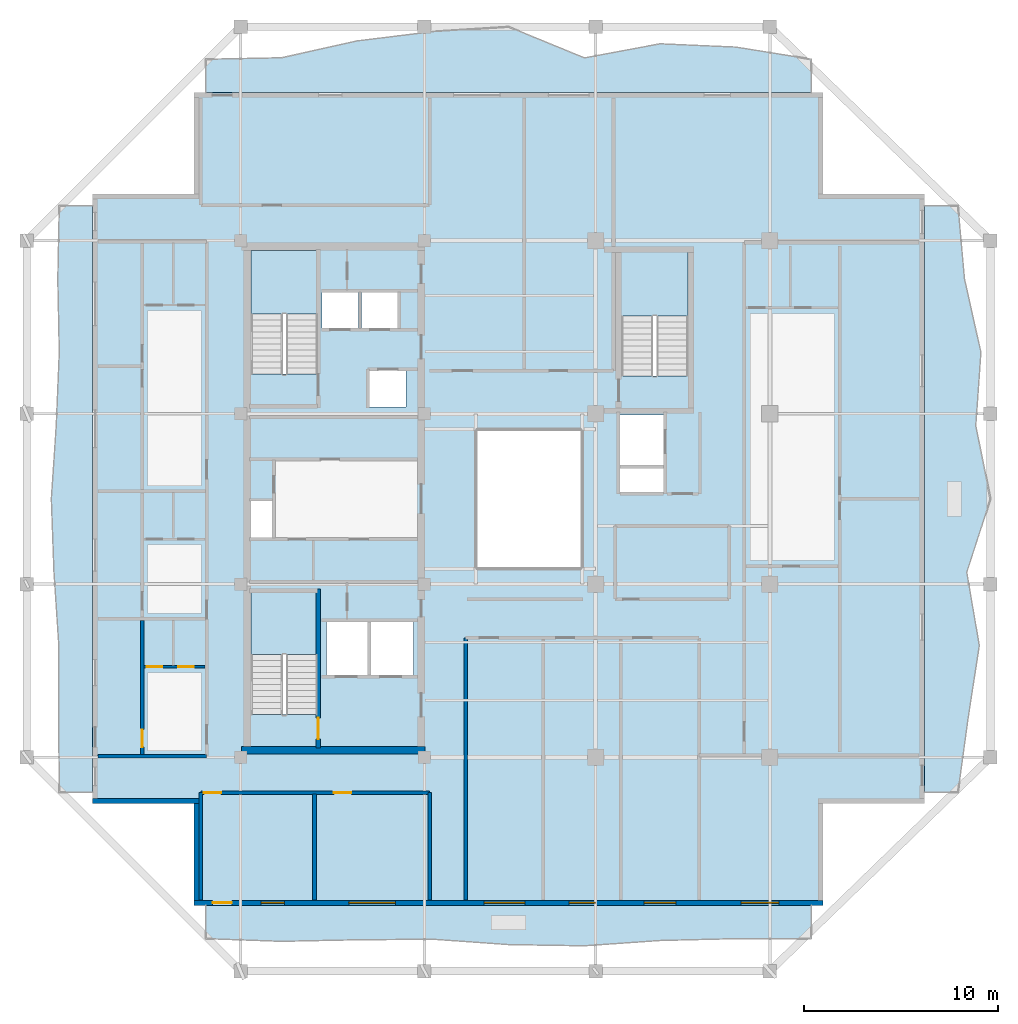
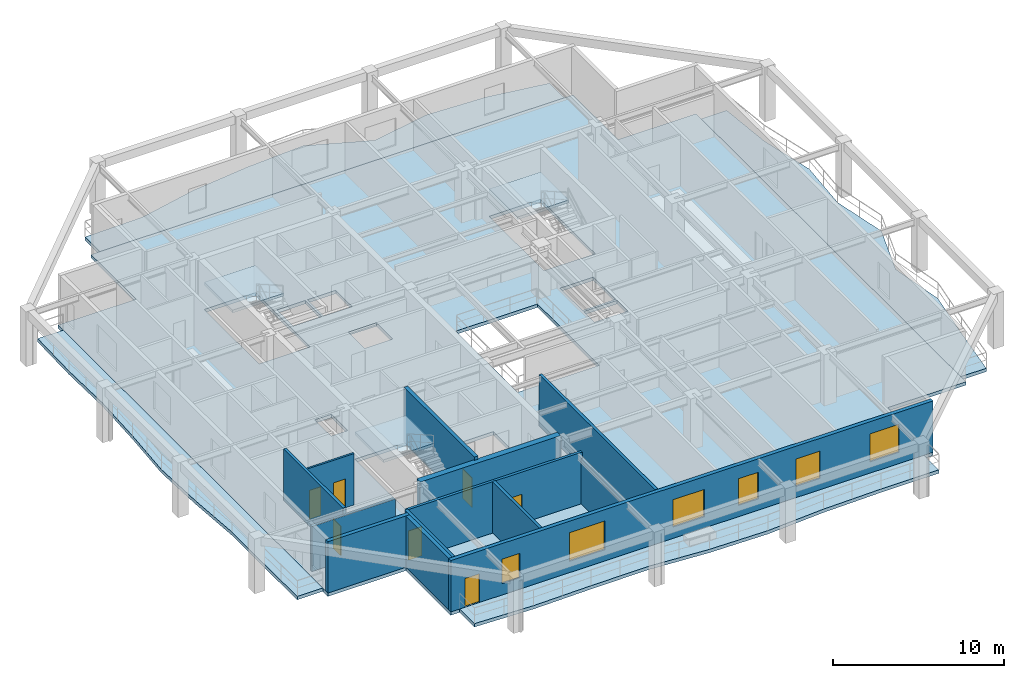
# One storey, part 2 of 11: 13 walls, 8 slabs, 7 doors, 6 windows, 13 openings, 3 elements without a shape of their own.
"""IFC4 building model written with IfcOpenShell, lengths in metres."""

from ifc_helpers import new_model, si_unit, direction, frame, frame_2d, origin, place, context, subcontext, project, spatial, polyline, rectangle, outline, extrude, material, layer, layer_set, type_object, element, fill, aggregate, save


model = new_model("IFC4")

# Units and contexts
model_context = context("Model", 3, precision=1e-05, world=origin(), true_north=direction((0.0, 1.0)))
body_context = subcontext(model_context, "Body", "Model", "MODEL_VIEW")
ifc_project = project(units=[si_unit("LENGTHUNIT", "METRE"), si_unit("AREAUNIT", "SQUARE_METRE"), si_unit("VOLUMEUNIT", "CUBIC_METRE"), si_unit("PLANEANGLEUNIT", "RADIAN"), si_unit("MASSUNIT", "GRAM", prefix="KILO")], contexts=[model_context])

# Site, building, storey
site_placement = place(None, origin())
site = spatial("IfcSite", under=ifc_project, at=site_placement, CompositionType="ELEMENT")
building_placement = place(site_placement, origin())
building = spatial("IfcBuilding", under=site, at=building_placement, Name="Kundavana Baori Tower", CompositionType="ELEMENT")
storey_placement = place(building_placement, frame((0.0, 0.0, 264.800048828125)))
storey = spatial("IfcBuildingStorey", under=building, at=storey_placement, Name="L65", CompositionType="ELEMENT", Elevation=264.800048828125)

# Slab
ifc_material_1 = material(Name="Concrete C40/50", Category="concrete")
ifc_layer_1 = layer(ifc_material_1, 0.239990234375, Name="SLB-FLR-240")
ifc_layer_set_1 = layer_set([ifc_layer_1], Name="Concrete C40/50")
slab_type_1 = type_object("IfcSlabType", Name="SLB-FLR-240", PredefinedType="FLOOR", material=ifc_layer_set_1)
slab_1_placement = place(storey_placement, frame((0.0, 0.0, -0.239990234375)))
element("IfcSlab", 1, at=slab_1_placement, inside=storey, type_object=slab_type_1, Name="L65 Structural Floor Slab", PredefinedType="FLOOR", context=body_context, shape_type="SweptSolid", body=[
    extrude(outline(polyline([(13.050048828125, 7.60009765625), (45.550048828125, 7.60009765625), (45.550048828125, 12.85009765625), (50.800048828125, 12.85009765625), (50.800048828125, 44.35009765625), (45.550048828125, 44.35009765625), (45.550048828125, 49.60009765625), (13.050048828125, 49.60009765625), (13.050048828125, 44.35009765625), (7.800048828125, 44.35009765625), (7.800048828125, 12.85009765625), (13.050048828125, 12.85009765625), (13.050048828125, 7.60009765625)]), holes=[polyline([(19.43994140625, 17.4619140625), (19.43994140625, 23.85009765625), (15.97998046875, 23.85009765625), (15.97998046875, 17.4619140625), (19.43994140625, 17.4619140625)]), polyline([(19.43994140625, 35.06201171875), (19.43994140625, 41.449951171875), (15.97998046875, 41.449951171875), (15.97998046875, 35.06201171875), (19.43994140625, 35.06201171875)]), polyline([(38.580078125, 34.9619140625), (38.580078125, 41.35009765625), (35.1201171875, 41.35009765625), (35.1201171875, 34.9619140625), (38.580078125, 34.9619140625)]), polyline([(19.64990234375, 37.39990234375), (21.550048828125, 37.39990234375), (21.550048828125, 39.300048828125), (19.64990234375, 39.300048828125), (19.64990234375, 37.39990234375)]), polyline([(21.699951171875, 37.39990234375), (23.60009765625, 37.39990234375), (23.60009765625, 39.300048828125), (21.699951171875, 39.300048828125), (21.699951171875, 37.39990234375)]), polyline([(22.10009765625, 33.35009765625), (24.0, 33.35009765625), (24.0, 35.25), (22.10009765625, 35.25), (22.10009765625, 33.35009765625)]), polyline([(19.8798828125, 19.5), (22.02001953125, 19.5), (22.02001953125, 22.25), (19.8798828125, 22.25), (19.8798828125, 19.5)]), polyline([(22.179931640625, 19.5), (24.3798828125, 19.5), (24.3798828125, 22.25), (22.179931640625, 22.25), (22.179931640625, 19.5)]), polyline([(35.050048828125, 30.35009765625), (37.300048828125, 30.35009765625), (37.300048828125, 32.949951171875), (35.050048828125, 32.949951171875), (35.050048828125, 30.35009765625)]), polyline([(15.949951171875, 26.60009765625), (17.080078125, 26.60009765625), (17.080078125, 28.5), (15.949951171875, 28.5), (15.949951171875, 26.60009765625)]), polyline([(35.050048828125, 28.949951171875), (37.300048828125, 28.949951171875), (37.300048828125, 30.199951171875), (35.050048828125, 30.199951171875), (35.050048828125, 28.949951171875)]), polyline([(27.60009765625, 25.0), (33.10009765625, 25.0), (33.10009765625, 32.199951171875), (27.60009765625, 32.199951171875), (27.60009765625, 25.0)])]), origin(), (0.0, 0.0, 1.0), 0.239990234375),
])

# Stair, slab
ifc_material_2 = material(Name="Concrete C40/50", Category="concrete")
stair_type = type_object("IfcStairType", Name="STR-DOG-1650", PredefinedType="HALF_TURN_STAIR", material=ifc_material_2)
stair_1_placement = place(storey_placement, origin())
stair_1 = element("IfcStair", 2, at=stair_1_placement, inside=storey, type_object=stair_type, Name="L65 Protected Exit Stair ST1", PredefinedType="HALF_TURN_STAIR")
ifc_material_3 = material(Name="Concrete C40/50", Category="concrete")
ifc_layer_2 = layer(ifc_material_3, 0.199951171875, Name="SLB-LND-200")
ifc_layer_set_2 = layer_set([ifc_layer_2], Name="Concrete C40/50")
slab_type_2 = type_object("IfcSlabType", Name="SLB-LND-200", PredefinedType="LANDING", material=ifc_layer_set_2)
slab_2_placement = place(storey_placement, frame((0.0, 0.0, 1.75)))
slab_2 = element("IfcSlab", 3, at=slab_2_placement, type_object=slab_type_2, Name="ST1 landing 1", PredefinedType="LANDING", context=body_context, shape_type="SweptSolid", body=[
    extrude(outline(polyline([(19.43994140625, 20.550048828125), (19.43994140625, 23.85009765625), (15.97998046875, 23.85009765625), (15.97998046875, 20.550048828125), (19.43994140625, 20.550048828125)])), origin(), (0.0, 0.0, 1.0), 0.199951171875),
])
aggregate(stair_1, [slab_2])

stair_2_placement = place(storey_placement, origin())
stair_2 = element("IfcStair", 4, at=stair_2_placement, inside=storey, type_object=stair_type, Name="L65 Protected Exit Stair ST2", PredefinedType="HALF_TURN_STAIR")
slab_3_placement = place(storey_placement, frame((0.0, 0.0, 1.75)))
slab_3 = element("IfcSlab", 5, at=slab_3_placement, type_object=slab_type_2, Name="ST2 landing 1", PredefinedType="LANDING", context=body_context, shape_type="SweptSolid", body=[
    extrude(outline(polyline([(19.43994140625, 38.14990234375), (19.43994140625, 41.449951171875), (15.97998046875, 41.449951171875), (15.97998046875, 38.14990234375), (19.43994140625, 38.14990234375)])), origin(), (0.0, 0.0, 1.0), 0.199951171875),
])
aggregate(stair_2, [slab_3])

stair_3_placement = place(storey_placement, origin())
stair_3 = element("IfcStair", 6, at=stair_3_placement, inside=storey, type_object=stair_type, Name="L65 Protected Exit Stair ST3", PredefinedType="HALF_TURN_STAIR")
slab_4_placement = place(storey_placement, frame((0.0, 0.0, 1.75)))
slab_4 = element("IfcSlab", 7, at=slab_4_placement, type_object=slab_type_2, Name="ST3 landing 1", PredefinedType="LANDING", context=body_context, shape_type="SweptSolid", body=[
    extrude(outline(polyline([(38.580078125, 38.050048828125), (38.580078125, 41.35009765625), (35.1201171875, 41.35009765625), (35.1201171875, 38.050048828125), (38.580078125, 38.050048828125)])), origin(), (0.0, 0.0, 1.0), 0.199951171875),
])
aggregate(stair_3, [slab_4])

# Slabs
ifc_material_4 = material(Name="Concrete C40/50", Category="concrete")
ifc_layer_3 = layer(ifc_material_4, 0.239990234375, Name="SLB-LOG-240")
ifc_layer_set_3 = layer_set([ifc_layer_3], Name="Concrete C40/50")
slab_type_3 = type_object("IfcSlabType", Name="SLB-LOG-240", PredefinedType="FLOOR", material=ifc_layer_set_3)
slab_5_placement = place(storey_placement, frame((0.0, 0.0, -0.239990234375)))
element("IfcSlab", 8, at=slab_5_placement, inside=storey, type_object=slab_type_3, Name="L65 Planted Loggia Balcony Slab S", PredefinedType="FLOOR", context=body_context, shape_type="SweptSolid", body=[
    extrude(outline(polyline([(13.64990234375, 7.60009765625), (44.949951171875, 7.60009765625), (44.949951171875, 5.8798828125), (41.0380859375, 5.876953125), (37.125, 5.782958984375), (33.212890625, 5.509033203125), (29.300048828125, 5.570068359375), (25.387939453125, 5.84912109375), (21.47509765625, 5.820068359375), (17.56201171875, 5.739013671875), (13.64990234375, 5.8798828125), (13.64990234375, 7.60009765625)])), origin(), (0.0, 0.0, 1.0), 0.239990234375),
])
slab_6_placement = place(storey_placement, frame((0.0, 0.0, -0.239990234375)))
element("IfcSlab", 9, at=slab_6_placement, inside=storey, type_object=slab_type_3, Name="L65 Planted Loggia Balcony Slab E", PredefinedType="FLOOR", context=body_context, shape_type="SweptSolid", body=[
    extrude(outline(polyline([(50.800048828125, 13.449951171875), (50.800048828125, 43.75), (52.52001953125, 43.75), (52.85791015625, 39.9619140625), (53.70703125, 36.175048828125), (53.43994140625, 32.387939453125), (54.199951171875, 28.60009765625), (52.97509765625, 24.81201171875), (53.6220703125, 21.02490234375), (53.0400390625, 17.238037109375), (52.52001953125, 13.449951171875), (50.800048828125, 13.449951171875)])), origin(), (0.0, 0.0, 1.0), 0.239990234375),
])
slab_7_placement = place(storey_placement, frame((0.0, 0.0, -0.239990234375)))
element("IfcSlab", 10, at=slab_7_placement, inside=storey, type_object=slab_type_3, Name="L65 Planted Loggia Balcony Slab N", PredefinedType="FLOOR", context=body_context, shape_type="SweptSolid", body=[
    extrude(outline(polyline([(44.949951171875, 49.60009765625), (13.64990234375, 49.60009765625), (13.64990234375, 51.320068359375), (17.56201171875, 51.39794921875), (21.47509765625, 52.27001953125), (25.387939453125, 52.7490234375), (29.300048828125, 53.0), (33.212890625, 51.388916015625), (37.125, 52.1201171875), (41.0380859375, 51.949951171875), (44.949951171875, 51.320068359375), (44.949951171875, 49.60009765625)])), origin(), (0.0, 0.0, 1.0), 0.239990234375),
])
slab_8_placement = place(storey_placement, frame((0.0, 0.0, -0.239990234375)))
element("IfcSlab", 11, at=slab_8_placement, inside=storey, type_object=slab_type_3, Name="L65 Planted Loggia Balcony Slab W", PredefinedType="FLOOR", context=body_context, shape_type="SweptSolid", body=[
    extrude(outline(polyline([(7.800048828125, 43.75), (7.800048828125, 13.449951171875), (6.080078125, 13.449951171875), (6.049072265625, 17.238037109375), (6.05810546875, 21.02490234375), (5.805908203125, 24.81201171875), (5.669921875, 28.60009765625), (5.922119140625, 32.387939453125), (6.080078125, 36.175048828125), (6.00390625, 39.9619140625), (6.080078125, 43.75), (7.800048828125, 43.75)])), origin(), (0.0, 0.0, 1.0), 0.239990234375),
])

# Wall
ifc_material_5 = material(Name="Concrete C50/60", Category="concrete")
ifc_layer_4 = layer(ifc_material_5, 0.39990234375, Name="WL-CORE-400")
ifc_layer_set_4 = layer_set([ifc_layer_4], Name="Concrete C50/60")
wall_type_1 = type_object("IfcWallType", Name="WL-CORE-400", PredefinedType="SHEAR", material=ifc_layer_set_4)
wall_1_placement = place(storey_placement, frame((15.5, 15.610107421875, 0.0), z_axis=(0.0, 0.0, 1.0), x_axis=(1.0, 0.0, 0.0)))
element("IfcWall", 12, at=wall_1_placement, inside=storey, type_object=wall_type_1, Name="L65 Offset Core South Shear Wall", PredefinedType="SHEAR", context=body_context, shape_type="SweptSolid", body=[
    extrude(rectangle(XDim=9.47998046875, YDim=0.39990234375, at=frame_2d((4.739990234375, 0.0))), origin(), (0.0, 0.0, 1.0), 3.659912109375),
])

# Wall, opening, door
wall_2_placement = place(storey_placement, frame((19.4599609375, 15.739990234375, 0.0), z_axis=(0.0, 0.0, 1.0), x_axis=(0.0, 1.0, 0.0)))
wall_2 = element("IfcWall", 13, at=wall_2_placement, inside=storey, type_object=wall_type_1, Name="WL-L65-ST1-E", PredefinedType="SHEAR", context=body_context, shape_type="SweptSolid", body=[
    extrude(rectangle(XDim=8.199951171875, YDim=0.239990234375, at=frame_2d((4.10009765625, 0.0))), origin(), (0.0, 0.0, 1.0), 3.89990234375),
])
opening_1_placement = place(wall_2_placement, frame((0.449951171875, 0.0, 0.0)))
opening_1 = element("IfcOpeningElement", 14, at=opening_1_placement, cuts=wall_2, Name="Opening FD-110", PredefinedType="OPENING", context=body_context, shape_type="SweptSolid", body=[
    extrude(rectangle(XDim=1.10009765625, YDim=2.10009765625, at=frame_2d((0.550048828125, 1.050048828125))), frame((0.0, 0.1298828125, 0.0), z_axis=(0.0, -1.0, 0.0), x_axis=(1.0, 0.0, 0.0)), (0.0, 0.0, 1.0), 0.260009765625),
])
ifc_material_6 = material(Name="Galvanised Steel Fire-Rated Door Leaf", Category="steel")
door_type_1 = type_object("IfcDoorType", Name="DR-FD120-1100", OperationType="NOTDEFINED", PredefinedType="DOOR", material=ifc_material_6)
door_1_placement = place(opening_1_placement, origin())
door_1 = element("IfcDoor", 15, at=door_1_placement, inside=storey, type_object=door_type_1, Name="DR-L65-ST1", OperationType="SINGLE_SWING_LEFT", OverallHeight=2.10009765625, OverallWidth=1.10009765625, PredefinedType="DOOR", context=body_context, shape_type="SweptSolid", body=[
    extrude(rectangle(XDim=1.10009765625, YDim=2.10009765625, at=frame_2d((0.550048828125, 1.050048828125))), frame((0.0, 0.02490234375, 0.0), z_axis=(0.0, -1.0, 0.0), x_axis=(1.0, 0.0, 0.0)), (0.0, 0.0, 1.0), 0.050048828125),
])
fill(opening_1, door_1)

# Wall, openings, door, windows
ifc_material_7 = material(Name="Kiln-Fired Terracotta Brick-Slip Masonry on Concrete C40/50", Category="masonry")
ifc_layer_5 = layer(ifc_material_7, 0.260009765625, Name="WL-EXT-BRK-260")
ifc_layer_set_5 = layer_set([ifc_layer_5], Name="Kiln-Fired Terracotta Brick-Slip Masonry on Concrete C40/50")
wall_type_2 = type_object("IfcWallType", Name="WL-EXT-BRK-260", PredefinedType="SOLIDWALL", material=ifc_layer_set_5)
wall_3_placement = place(storey_placement, frame((13.050048828125, 7.72998046875, 0.0), z_axis=(0.0, 0.0, 1.0), x_axis=(1.0, 0.0, 0.0)))
wall_3 = element("IfcWall", 16, at=wall_3_placement, inside=storey, type_object=wall_type_2, Name="L65 Exterior Insulated Facade Wall 01", PredefinedType="SOLIDWALL", context=body_context, shape_type="SweptSolid", body=[
    extrude(rectangle(XDim=32.5, YDim=0.260009765625, at=frame_2d((16.25, 0.0))), origin(), (0.0, 0.0, 1.0), 3.659912109375),
])
opening_2_placement = place(wall_3_placement, frame((0.949951171875, 0.0, 0.0)))
opening_2 = element("IfcOpeningElement", 17, at=opening_2_placement, cuts=wall_3, Name="Opening BD-1", PredefinedType="OPENING", context=body_context, shape_type="SweptSolid", body=[
    extrude(rectangle(XDim=1.0, YDim=2.050048828125, at=frame_2d((0.5, 1.02490234375))), frame((0.0, 0.14013671875, 0.0), z_axis=(0.0, -1.0, 0.0), x_axis=(1.0, 0.0, 0.0)), (0.0, 0.0, 1.0), 0.280029296875),
])
opening_3_placement = place(wall_3_placement, frame((3.4599609375, 0.0, 0.800048828125)))
opening_3 = element("IfcOpeningElement", 18, at=opening_3_placement, cuts=wall_3, Name="Opening W-03", PredefinedType="OPENING", context=body_context, shape_type="SweptSolid", body=[
    extrude(rectangle(XDim=1.199951171875, YDim=1.75, at=frame_2d((0.60009765625, 0.875))), frame((0.0, 0.14013671875, 0.0), z_axis=(0.0, -1.0, 0.0), x_axis=(1.0, 0.0, 0.0)), (0.0, 0.0, 1.0), 0.280029296875),
])
opening_4_placement = place(wall_3_placement, frame((7.9951171875, 0.0, 0.800048828125)))
opening_4 = element("IfcOpeningElement", 19, at=opening_4_placement, cuts=wall_3, Name="Opening W-04", PredefinedType="OPENING", context=body_context, shape_type="SweptSolid", body=[
    extrude(rectangle(XDim=2.39990234375, YDim=2.050048828125, at=frame_2d((1.199951171875, 1.02490234375))), frame((0.0, 0.14013671875, 0.0), z_axis=(0.0, -1.0, 0.0), x_axis=(1.0, 0.0, 0.0)), (0.0, 0.0, 1.0), 0.280029296875),
])
opening_5_placement = place(wall_3_placement, frame((14.989990234375, 0.0, 0.800048828125)))
opening_5 = element("IfcOpeningElement", 20, at=opening_5_placement, cuts=wall_3, Name="Opening W-05", PredefinedType="OPENING", context=body_context, shape_type="SweptSolid", body=[
    extrude(rectangle(XDim=2.10009765625, YDim=1.949951171875, at=frame_2d((1.050048828125, 0.97509765625))), frame((0.0, 0.14013671875, 0.0), z_axis=(0.0, -1.0, 0.0), x_axis=(1.0, 0.0, 0.0)), (0.0, 0.0, 1.0), 0.280029296875),
])
opening_6_placement = place(wall_3_placement, frame((19.375, 0.0, 0.800048828125)))
opening_6 = element("IfcOpeningElement", 21, at=opening_6_placement, cuts=wall_3, Name="Opening W-07", PredefinedType="OPENING", context=body_context, shape_type="SweptSolid", body=[
    extrude(rectangle(XDim=1.35009765625, YDim=1.89990234375, at=frame_2d((0.675048828125, 0.949951171875))), frame((0.0, 0.14013671875, 0.0), z_axis=(0.0, -1.0, 0.0), x_axis=(1.0, 0.0, 0.0)), (0.0, 0.0, 1.0), 0.280029296875),
])
opening_7_placement = place(wall_3_placement, frame((23.25, 0.0, 0.800048828125)))
opening_7 = element("IfcOpeningElement", 22, at=opening_7_placement, cuts=wall_3, Name="Opening W-08", PredefinedType="OPENING", context=body_context, shape_type="SweptSolid", body=[
    extrude(rectangle(XDim=1.64990234375, YDim=1.949951171875, at=frame_2d((0.824951171875, 0.97509765625))), frame((0.0, 0.14013671875, 0.0), z_axis=(0.0, -1.0, 0.0), x_axis=(1.0, 0.0, 0.0)), (0.0, 0.0, 1.0), 0.280029296875),
])
opening_8_placement = place(wall_3_placement, frame((28.27001953125, 0.0, 0.800048828125)))
opening_8 = element("IfcOpeningElement", 23, at=opening_8_placement, cuts=wall_3, Name="Opening W-09", PredefinedType="OPENING", context=body_context, shape_type="SweptSolid", body=[
    extrude(rectangle(XDim=1.949951171875, YDim=2.0, at=frame_2d((0.97509765625, 1.0))), frame((0.0, 0.14013671875, 0.0), z_axis=(0.0, -1.0, 0.0), x_axis=(1.0, 0.0, 0.0)), (0.0, 0.0, 1.0), 0.280029296875),
])
ifc_material_8 = material(Name="Architectural Patinated Bronze Metalwork")
door_type_2 = type_object("IfcDoorType", Name="DR-EXT-LOG-1000", OperationType="NOTDEFINED", PredefinedType="DOOR", material=ifc_material_8)
door_2_placement = place(opening_2_placement, frame((1.0, 0.0, 0.0), z_axis=(0.0, 0.0, 1.0), x_axis=(-1.0, 0.0, 0.0)))
door_2 = element("IfcDoor", 24, at=door_2_placement, inside=storey, type_object=door_type_2, Name="L65 Loggia Balcony Access Door S", OperationType="SINGLE_SWING_LEFT", OverallHeight=2.050048828125, OverallWidth=1.0, PredefinedType="DOOR", context=body_context, shape_type="SweptSolid", body=[
    extrude(rectangle(XDim=1.0, YDim=2.050048828125, at=frame_2d((0.5, 1.02490234375))), frame((0.0, 0.02490234375, 0.0), z_axis=(0.0, -1.0, 0.0), x_axis=(1.0, 0.0, 0.0)), (0.0, 0.0, 1.0), 0.050048828125),
])
fill(opening_2, door_2)
ifc_material_9 = material(Name="Double-Glazed Solar-Control Low-E Insulated Glass", Category="glass")
window_type_1 = type_object("IfcWindowType", Name="WIN-LOG-1200x1750", PartitioningType="SINGLE_PANEL", PredefinedType="WINDOW", material=ifc_material_9)
window_1_placement = place(opening_3_placement, origin())
window_1 = element("IfcWindow", 25, at=window_1_placement, inside=storey, type_object=window_type_1, Name="L65 Recessed Loggia Window S-1", OverallHeight=1.75, OverallWidth=1.199951171875, PartitioningType="SINGLE_PANEL", PredefinedType="WINDOW", context=body_context, shape_type="SweptSolid", body=[
    extrude(rectangle(XDim=1.199951171875, YDim=1.75, at=frame_2d((0.60009765625, 0.875))), frame((0.0, 0.030029296875, 0.0), z_axis=(0.0, -1.0, 0.0), x_axis=(1.0, 0.0, 0.0)), (0.0, 0.0, 1.0), 0.06005859375),
])
fill(opening_3, window_1)
ifc_material_10 = material(Name="Double-Glazed Solar-Control Low-E Insulated Glass", Category="glass")
window_type_2 = type_object("IfcWindowType", Name="WIN-LOG-1350x1900", PartitioningType="SINGLE_PANEL", PredefinedType="WINDOW", material=ifc_material_10)
window_2_placement = place(opening_6_placement, origin())
window_2 = element("IfcWindow", 26, at=window_2_placement, inside=storey, type_object=window_type_2, Name="L65 Recessed Loggia Window S-4", OverallHeight=1.89990234375, OverallWidth=1.35009765625, PartitioningType="SINGLE_PANEL", PredefinedType="WINDOW", context=body_context, shape_type="SweptSolid", body=[
    extrude(rectangle(XDim=1.35009765625, YDim=1.89990234375, at=frame_2d((0.675048828125, 0.949951171875))), frame((0.0, 0.030029296875, 0.0), z_axis=(0.0, -1.0, 0.0), x_axis=(1.0, 0.0, 0.0)), (0.0, 0.0, 1.0), 0.06005859375),
])
fill(opening_6, window_2)
ifc_material_11 = material(Name="Double-Glazed Solar-Control Low-E Insulated Glass", Category="glass")
window_type_3 = type_object("IfcWindowType", Name="WIN-LOG-1650x1950", PartitioningType="SINGLE_PANEL", PredefinedType="WINDOW", material=ifc_material_11)
window_3_placement = place(opening_7_placement, origin())
window_3 = element("IfcWindow", 27, at=window_3_placement, inside=storey, type_object=window_type_3, Name="L65 Recessed Loggia Window S-5", OverallHeight=1.949951171875, OverallWidth=1.64990234375, PartitioningType="SINGLE_PANEL", PredefinedType="WINDOW", context=body_context, shape_type="SweptSolid", body=[
    extrude(rectangle(XDim=1.64990234375, YDim=1.949951171875, at=frame_2d((0.824951171875, 0.97509765625))), frame((0.0, 0.030029296875, 0.0), z_axis=(0.0, -1.0, 0.0), x_axis=(1.0, 0.0, 0.0)), (0.0, 0.0, 1.0), 0.06005859375),
])
fill(opening_7, window_3)
ifc_material_12 = material(Name="Double-Glazed Solar-Control Low-E Insulated Glass", Category="glass")
window_type_4 = type_object("IfcWindowType", Name="WIN-LOG-1950x2000", PartitioningType="SINGLE_PANEL", PredefinedType="WINDOW", material=ifc_material_12)
window_4_placement = place(opening_8_placement, origin())
window_4 = element("IfcWindow", 28, at=window_4_placement, inside=storey, type_object=window_type_4, Name="L65 Recessed Loggia Window S-6", OverallHeight=2.0, OverallWidth=1.949951171875, PartitioningType="SINGLE_PANEL", PredefinedType="WINDOW", context=body_context, shape_type="SweptSolid", body=[
    extrude(rectangle(XDim=1.949951171875, YDim=2.0, at=frame_2d((0.97509765625, 1.0))), frame((0.0, 0.030029296875, 0.0), z_axis=(0.0, -1.0, 0.0), x_axis=(1.0, 0.0, 0.0)), (0.0, 0.0, 1.0), 0.06005859375),
])
fill(opening_8, window_4)
ifc_material_13 = material(Name="Double-Glazed Solar-Control Low-E Insulated Glass", Category="glass")
window_type_5 = type_object("IfcWindowType", Name="WIN-LOG-2100x1950", PartitioningType="SINGLE_PANEL", PredefinedType="WINDOW", material=ifc_material_13)
window_5_placement = place(opening_5_placement, origin())
window_5 = element("IfcWindow", 29, at=window_5_placement, inside=storey, type_object=window_type_5, Name="L65 Recessed Loggia Window S-3", OverallHeight=1.949951171875, OverallWidth=2.10009765625, PartitioningType="SINGLE_PANEL", PredefinedType="WINDOW", context=body_context, shape_type="SweptSolid", body=[
    extrude(rectangle(XDim=2.10009765625, YDim=1.949951171875, at=frame_2d((1.050048828125, 0.97509765625))), frame((0.0, 0.030029296875, 0.0), z_axis=(0.0, -1.0, 0.0), x_axis=(1.0, 0.0, 0.0)), (0.0, 0.0, 1.0), 0.06005859375),
])
fill(opening_5, window_5)
ifc_material_14 = material(Name="Double-Glazed Solar-Control Low-E Insulated Glass", Category="glass")
window_type_6 = type_object("IfcWindowType", Name="WIN-LOG-2400x2050", PartitioningType="SINGLE_PANEL", PredefinedType="WINDOW", material=ifc_material_14)
window_6_placement = place(opening_4_placement, origin())
window_6 = element("IfcWindow", 30, at=window_6_placement, inside=storey, type_object=window_type_6, Name="L65 Recessed Loggia Window S-2", OverallHeight=2.050048828125, OverallWidth=2.39990234375, PartitioningType="SINGLE_PANEL", PredefinedType="WINDOW", context=body_context, shape_type="SweptSolid", body=[
    extrude(rectangle(XDim=2.39990234375, YDim=2.050048828125, at=frame_2d((1.199951171875, 1.02490234375))), frame((0.0, 0.030029296875, 0.0), z_axis=(0.0, -1.0, 0.0), x_axis=(1.0, 0.0, 0.0)), (0.0, 0.0, 1.0), 0.06005859375),
])
fill(opening_4, window_6)

# Walls
wall_4_placement = place(storey_placement, frame((7.800048828125, 12.97998046875, 0.0), z_axis=(0.0, 0.0, 1.0), x_axis=(1.0, 0.0, 0.0)))
element("IfcWall", 31, at=wall_4_placement, inside=storey, type_object=wall_type_2, Name="L65 Exterior Insulated Facade Wall 11", PredefinedType="SOLIDWALL", context=body_context, shape_type="SweptSolid", body=[
    extrude(rectangle(XDim=5.510009765625, YDim=0.260009765625, at=frame_2d((2.7548828125, 0.0))), origin(), (0.0, 0.0, 1.0), 3.659912109375),
])
wall_5_placement = place(storey_placement, frame((13.179931640625, 12.85009765625, 0.0), z_axis=(0.0, 0.0, 1.0), x_axis=(0.0, -1.0, 0.0)))
element("IfcWall", 32, at=wall_5_placement, inside=storey, type_object=wall_type_2, Name="L65 Exterior Insulated Facade Wall 12", PredefinedType="SOLIDWALL", context=body_context, shape_type="SweptSolid", body=[
    extrude(rectangle(XDim=4.989990234375, YDim=0.260009765625, at=frame_2d((2.4951171875, 0.0))), origin(), (0.0, 0.0, 1.0), 3.659912109375),
])
ifc_material_15 = material(Name="Autoclaved Aerated Concrete Blockwork Masonry", Category="masonry")
ifc_layer_6 = layer(ifc_material_15, 0.18505859375, Name="WL-PART-180")
ifc_layer_set_6 = layer_set([ifc_layer_6], Name="Autoclaved Aerated Concrete Blockwork Masonry")
wall_type_3 = type_object("IfcWallType", Name="WL-PART-180", PredefinedType="SOLIDWALL", material=ifc_layer_set_6)
wall_6_placement = place(storey_placement, frame((27.080078125, 7.8798828125, 0.0), z_axis=(0.0, 0.0, 1.0), x_axis=(0.0, 1.0, 0.0)))
element("IfcWall", 33, at=wall_6_placement, inside=storey, type_object=wall_type_3, Name="WL-L65-RSW", PredefinedType="SOLIDWALL", context=body_context, shape_type="SweptSolid", body=[
    extrude(rectangle(XDim=13.5400390625, YDim=0.18505859375, at=frame_2d((6.77001953125, 0.0))), origin(), (0.0, 0.0, 1.0), 3.659912109375),
])

# Wall, openings, doors
wall_7_placement = place(storey_placement, frame((13.39990234375, 13.419921875, 0.0), z_axis=(0.0, 0.0, 1.0), x_axis=(1.0, 0.0, 0.0)))
wall_7 = element("IfcWall", 34, at=wall_7_placement, inside=storey, type_object=wall_type_3, Name="WL-L65-RSC", PredefinedType="SOLIDWALL", context=body_context, shape_type="SweptSolid", body=[
    extrude(rectangle(XDim=11.820068359375, YDim=0.18505859375, at=frame_2d((5.91015625, 0.0))), origin(), (0.0, 0.0, 1.0), 3.659912109375),
])
opening_9_placement = place(wall_7_placement, frame((0.14990234375, 0.0, 0.0)))
opening_9 = element("IfcOpeningElement", 35, at=opening_9_placement, cuts=wall_7, Name="Opening ID-090", PredefinedType="OPENING", context=body_context, shape_type="SweptSolid", body=[
    extrude(rectangle(XDim=0.89990234375, YDim=2.080078125, at=frame_2d((0.449951171875, 1.0400390625))), frame((0.0, 0.1025390625, 0.0), z_axis=(0.0, -1.0, 0.0), x_axis=(1.0, 0.0, 0.0)), (0.0, 0.0, 1.0), 0.205078125),
])
opening_10_placement = place(wall_7_placement, frame((6.8701171875, 0.0, 0.0)))
opening_10 = element("IfcOpeningElement", 36, at=opening_10_placement, cuts=wall_7, Name="Opening ID-090", PredefinedType="OPENING", context=body_context, shape_type="SweptSolid", body=[
    extrude(rectangle(XDim=0.89990234375, YDim=2.080078125, at=frame_2d((0.449951171875, 1.0400390625))), frame((0.0, 0.1025390625, 0.0), z_axis=(0.0, -1.0, 0.0), x_axis=(1.0, 0.0, 0.0)), (0.0, 0.0, 1.0), 0.205078125),
])
ifc_material_16 = material(Name="Engineered Teak Solid-Core Timber Veneer", Category="wood")
door_type_3 = type_object("IfcDoorType", Name="DR-INT-900", OperationType="NOTDEFINED", PredefinedType="DOOR", material=ifc_material_16)
door_3_placement = place(opening_9_placement, frame((0.89990234375, 0.0, 0.0), z_axis=(0.0, 0.0, 1.0), x_axis=(-1.0, 0.0, 0.0)))
door_3 = element("IfcDoor", 37, at=door_3_placement, inside=storey, type_object=door_type_3, Name="DR-L65-RMSW1", OperationType="SINGLE_SWING_LEFT", OverallHeight=2.080078125, OverallWidth=0.89990234375, PredefinedType="DOOR", context=body_context, shape_type="SweptSolid", body=[
    extrude(rectangle(XDim=0.89990234375, YDim=2.080078125, at=frame_2d((0.449951171875, 1.0400390625))), frame((0.0, 0.02490234375, 0.0), z_axis=(0.0, -1.0, 0.0), x_axis=(1.0, 0.0, 0.0)), (0.0, 0.0, 1.0), 0.050048828125),
])
fill(opening_9, door_3)
door_4_placement = place(opening_10_placement, frame((0.89990234375, 0.0, 0.0), z_axis=(0.0, 0.0, 1.0), x_axis=(-1.0, 0.0, 0.0)))
door_4 = element("IfcDoor", 38, at=door_4_placement, inside=storey, type_object=door_type_3, Name="DR-L65-RMSW2", OperationType="SINGLE_SWING_RIGHT", OverallHeight=2.080078125, OverallWidth=0.89990234375, PredefinedType="DOOR", context=body_context, shape_type="SweptSolid", body=[
    extrude(rectangle(XDim=0.89990234375, YDim=2.080078125, at=frame_2d((0.449951171875, 1.0400390625))), frame((0.0, 0.02490234375, 0.0), z_axis=(0.0, -1.0, 0.0), x_axis=(1.0, 0.0, 0.0)), (0.0, 0.0, 1.0), 0.050048828125),
])
fill(opening_10, door_4)

# Walls
wall_8_placement = place(storey_placement, frame((13.39990234375, 7.8798828125, 0.0), z_axis=(0.0, 0.0, 1.0), x_axis=(0.0, 1.0, 0.0)))
element("IfcWall", 39, at=wall_8_placement, inside=storey, type_object=wall_type_3, Name="WL-L65-RSCW", PredefinedType="SOLIDWALL", context=body_context, shape_type="SweptSolid", body=[
    extrude(rectangle(XDim=5.5400390625, YDim=0.18505859375, at=frame_2d((2.77001953125, 0.0))), origin(), (0.0, 0.0, 1.0), 3.659912109375),
])
wall_9_placement = place(storey_placement, frame((25.219970703125, 7.8798828125, 0.0), z_axis=(0.0, 0.0, 1.0), x_axis=(0.0, 1.0, 0.0)))
element("IfcWall", 40, at=wall_9_placement, inside=storey, type_object=wall_type_3, Name="WL-L65-RSCE", PredefinedType="SOLIDWALL", context=body_context, shape_type="SweptSolid", body=[
    extrude(rectangle(XDim=5.5400390625, YDim=0.18505859375, at=frame_2d((2.77001953125, 0.0))), origin(), (0.0, 0.0, 1.0), 3.2099609375),
])
wall_10_placement = place(storey_placement, frame((19.27001953125, 7.8798828125, 0.0), z_axis=(0.0, 0.0, 1.0), x_axis=(0.0, 1.0, 0.0)))
element("IfcWall", 41, at=wall_10_placement, inside=storey, type_object=wall_type_3, Name="WL-L65-RSCD", PredefinedType="SOLIDWALL", context=body_context, shape_type="SweptSolid", body=[
    extrude(rectangle(XDim=5.480224609375, YDim=0.18505859375, at=frame_2d((2.740234375, 0.0))), origin(), (0.0, 0.0, 1.0), 3.659912109375),
])
wall_11_placement = place(storey_placement, frame((8.080078125, 15.300048828125, 0.0), z_axis=(0.0, 0.0, 1.0), x_axis=(1.0, 0.0, 0.0)))
element("IfcWall", 42, at=wall_11_placement, inside=storey, type_object=wall_type_3, Name="WL-L65-RWS", PredefinedType="SOLIDWALL", context=body_context, shape_type="SweptSolid", body=[
    extrude(rectangle(XDim=5.619873046875, YDim=0.18505859375, at=frame_2d((2.81005859375, 0.0))), origin(), (0.0, 0.0, 1.0), 3.2099609375),
])

# Wall, opening, door
wall_12_placement = place(storey_placement, frame((10.3701171875, 15.3798828125, 0.0), z_axis=(0.0, 0.0, 1.0), x_axis=(0.0, 1.0, 0.0)))
wall_12 = element("IfcWall", 43, at=wall_12_placement, inside=storey, type_object=wall_type_3, Name="WL-L65-W1-VT", PredefinedType="SOLIDWALL", context=body_context, shape_type="SweptSolid", body=[
    extrude(rectangle(XDim=6.940185546875, YDim=0.18505859375, at=frame_2d((3.47021484375, 0.0))), origin(), (0.0, 0.0, 1.0), 3.659912109375),
])
opening_11_placement = place(wall_12_placement, frame((0.39990234375, 0.0, 0.0)))
opening_11 = element("IfcOpeningElement", 44, at=opening_11_placement, cuts=wall_12, Name="Opening ID-090", PredefinedType="OPENING", context=body_context, shape_type="SweptSolid", body=[
    extrude(rectangle(XDim=0.89990234375, YDim=2.080078125, at=frame_2d((0.449951171875, 1.0400390625))), frame((0.0, 0.1025390625, 0.0), z_axis=(0.0, -1.0, 0.0), x_axis=(1.0, 0.0, 0.0)), (0.0, 0.0, 1.0), 0.205078125),
])
door_5_placement = place(opening_11_placement, frame((0.89990234375, 0.0, 0.0), z_axis=(0.0, 0.0, 1.0), x_axis=(-1.0, 0.0, 0.0)))
door_5 = element("IfcDoor", 45, at=door_5_placement, inside=storey, type_object=door_type_3, Name="DR-L65-W1-B1", OperationType="SINGLE_SWING_LEFT", OverallHeight=2.080078125, OverallWidth=0.89990234375, PredefinedType="DOOR", context=body_context, shape_type="SweptSolid", body=[
    extrude(rectangle(XDim=0.89990234375, YDim=2.080078125, at=frame_2d((0.449951171875, 1.0400390625))), frame((0.0, 0.02490234375, 0.0), z_axis=(0.0, -1.0, 0.0), x_axis=(1.0, 0.0, 0.0)), (0.0, 0.0, 1.0), 0.050048828125),
])
fill(opening_11, door_5)

# Wall, openings, doors
ifc_material_17 = material(Name="Autoclaved Aerated Concrete Blockwork Masonry", Category="masonry")
ifc_layer_7 = layer(ifc_material_17, 0.125, Name="WL-WET-120")
ifc_layer_set_7 = layer_set([ifc_layer_7], Name="Autoclaved Aerated Concrete Blockwork Masonry")
wall_type_4 = type_object("IfcWallType", Name="WL-WET-120", PredefinedType="PLUMBINGWALL", material=ifc_layer_set_7)
wall_13_placement = place(storey_placement, frame((10.449951171875, 19.919921875, 0.0), z_axis=(0.0, 0.0, 1.0), x_axis=(1.0, 0.0, 0.0)))
wall_13 = element("IfcWall", 46, at=wall_13_placement, inside=storey, type_object=wall_type_4, Name="WL-L65-W1-KH", PredefinedType="PLUMBINGWALL", context=body_context, shape_type="SweptSolid", body=[
    extrude(rectangle(XDim=3.170166015625, YDim=0.125, at=frame_2d((1.5849609375, 0.0))), origin(), (0.0, 0.0, 1.0), 3.659912109375),
])
opening_12_placement = place(wall_13_placement, frame((0.159912109375, 0.0, 0.0)))
opening_12 = element("IfcOpeningElement", 47, at=opening_12_placement, cuts=wall_13, Name="Opening WD-080", PredefinedType="OPENING", context=body_context, shape_type="SweptSolid", body=[
    extrude(rectangle(XDim=0.800048828125, YDim=2.050048828125, at=frame_2d((0.39990234375, 1.02490234375))), frame((0.0, 0.072509765625, 0.0), z_axis=(0.0, -1.0, 0.0), x_axis=(1.0, 0.0, 0.0)), (0.0, 0.0, 1.0), 0.14501953125),
])
opening_13_placement = place(wall_13_placement, frame((1.781982421875, 0.0, 0.0)))
opening_13 = element("IfcOpeningElement", 48, at=opening_13_placement, cuts=wall_13, Name="Opening WD-080", PredefinedType="OPENING", context=body_context, shape_type="SweptSolid", body=[
    extrude(rectangle(XDim=0.800048828125, YDim=2.050048828125, at=frame_2d((0.39990234375, 1.02490234375))), frame((0.0, 0.072509765625, 0.0), z_axis=(0.0, -1.0, 0.0), x_axis=(1.0, 0.0, 0.0)), (0.0, 0.0, 1.0), 0.14501953125),
])
ifc_material_18 = material(Name="Engineered Teak Solid-Core Timber Veneer", Category="wood")
door_type_4 = type_object("IfcDoorType", Name="DR-WET-800", OperationType="NOTDEFINED", PredefinedType="DOOR", material=ifc_material_18)
door_6_placement = place(opening_12_placement, origin())
door_6 = element("IfcDoor", 49, at=door_6_placement, inside=storey, type_object=door_type_4, Name="DR-L65-W1-BT", OperationType="SINGLE_SWING_LEFT", OverallHeight=2.050048828125, OverallWidth=0.800048828125, PredefinedType="DOOR", context=body_context, shape_type="SweptSolid", body=[
    extrude(rectangle(XDim=0.800048828125, YDim=2.050048828125, at=frame_2d((0.39990234375, 1.02490234375))), frame((0.0, 0.02490234375, 0.0), z_axis=(0.0, -1.0, 0.0), x_axis=(1.0, 0.0, 0.0)), (0.0, 0.0, 1.0), 0.050048828125),
])
fill(opening_12, door_6)
door_7_placement = place(opening_13_placement, origin())
door_7 = element("IfcDoor", 50, at=door_7_placement, inside=storey, type_object=door_type_4, Name="DR-L65-W1-KT", OperationType="SINGLE_SWING_RIGHT", OverallHeight=2.050048828125, OverallWidth=0.800048828125, PredefinedType="DOOR", context=body_context, shape_type="SweptSolid", body=[
    extrude(rectangle(XDim=0.800048828125, YDim=2.050048828125, at=frame_2d((0.39990234375, 1.02490234375))), frame((0.0, 0.02490234375, 0.0), z_axis=(0.0, -1.0, 0.0), x_axis=(1.0, 0.0, 0.0)), (0.0, 0.0, 1.0), 0.050048828125),
])
fill(opening_13, door_7)

save(model, "model.ifc")
